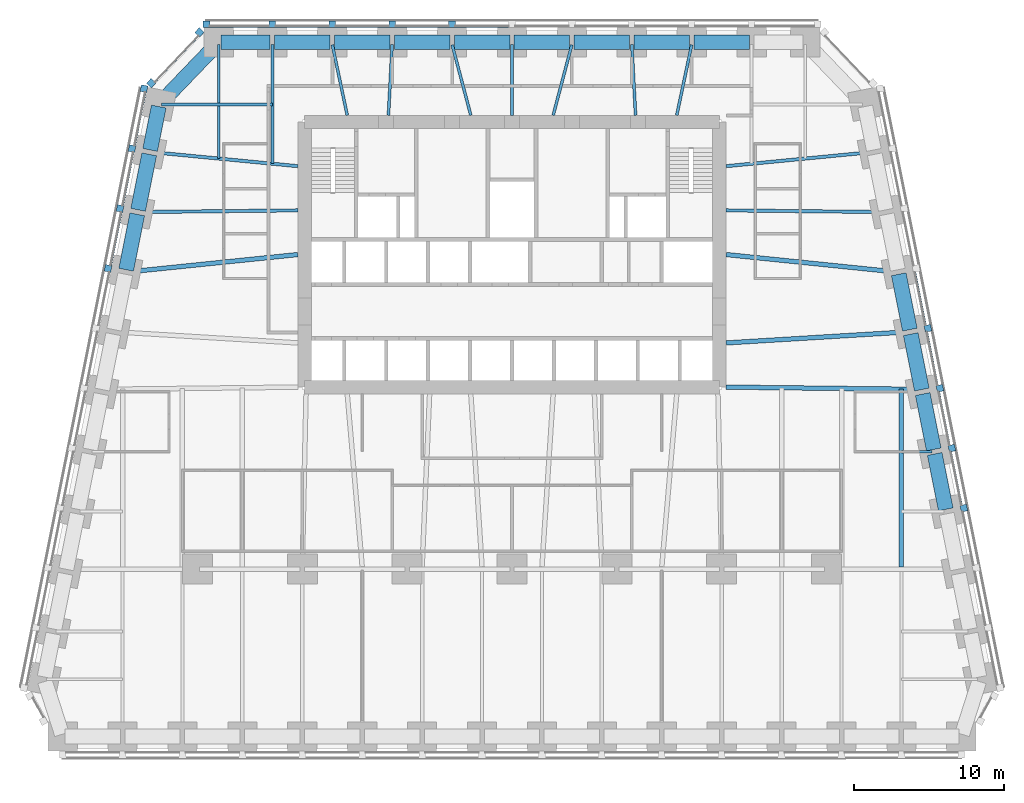
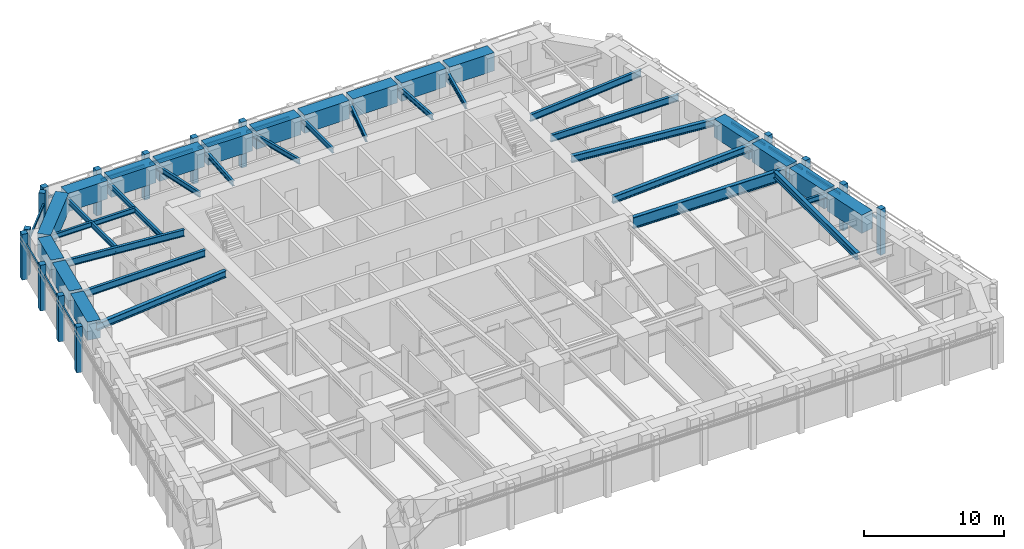
# One storey, part 3 of 10: 37 beams, 28 members, 4 elements without a shape of their own.
"""IFC4 building model written with IfcOpenShell, lengths in metres."""

from ifc_helpers import new_model, si_unit, direction, frame, origin, origin_2d, place, context, subcontext, project, spatial, rectangle, i_section, extrude, material, material_profile, profile_set, type_object, element, aggregate, save


model = new_model("IFC4")

# Units and contexts
model_context = context("Model", 3, precision=1e-05, world=origin(), true_north=direction((0.0, 1.0)))
body_context = subcontext(model_context, "Body", "Model", "MODEL_VIEW")
ifc_project = project(units=[si_unit("LENGTHUNIT", "METRE"), si_unit("AREAUNIT", "SQUARE_METRE"), si_unit("VOLUMEUNIT", "CUBIC_METRE"), si_unit("PLANEANGLEUNIT", "RADIAN"), si_unit("MASSUNIT", "GRAM", prefix="KILO")], contexts=[model_context])

# Site, building, storey
site_placement = place(None, origin())
site = spatial("IfcSite", under=ifc_project, at=site_placement, CompositionType="ELEMENT")
building_placement = place(site_placement, origin())
building = spatial("IfcBuilding", under=site, at=building_placement, Name="Isbrekke Arena Tower", CompositionType="ELEMENT")
storey_placement = place(building_placement, frame((0.0, 0.0, 80.0)))
storey = spatial("IfcBuildingStorey", under=building, at=storey_placement, Name="L17", CompositionType="ELEMENT", Elevation=80.0)

# Beams
ifc_material_1 = material(Name="Steel S355", Category="steel")
ifc_material_profile_1 = material_profile(ifc_material_1, i_section(OverallWidth=0.219970703125, OverallDepth=0.60009765625, WebThickness=0.011962890625, FlangeThickness=0.01904296875, FilletRadius=0.02392578125, at=origin_2d()), Name="IPE 600")
ifc_profile_set_1 = profile_set([ifc_material_profile_1], Name="Steel S355")
beam_type_1 = type_object("IfcBeamType", Name="B1 IPE 600", PredefinedType="BEAM", material=ifc_profile_set_1)
beam_1_placement = place(storey_placement, frame((24.83984375, 17.838134765625, 3.550048828125), z_axis=(-0.999943729589, 0.010608376645, 0.0), x_axis=(-0.010608376645, -0.999943729589, 0.0)))
element("IfcBeam", 1, at=beam_1_placement, inside=storey, type_object=beam_type_1, Name="B1 beam E-E09 L17", PredefinedType="BEAM", context=body_context, shape_type="SweptSolid", body=[
    extrude(i_section(OverallWidth=0.219970703125, OverallDepth=0.60009765625, WebThickness=0.011962890625, FlangeThickness=0.01904296875, FilletRadius=0.02392578125, at=origin_2d()), origin(), (0.0, 0.0, 1.0), 10.540283203125),
])
for number, where, z_axis, x_axis, name in (
    (2, (24.030517578125, 21.837158203125, 3.550048828125), (-0.995393091527, -0.095878012805, 0.0), (0.095878012805, -0.995393091527, 0.0), "B1 beam E-E10 L17"),
    (3, (-24.030517578125, 21.837158203125, 3.550048828125), (0.995393091527, -0.095878012805, 0.0), (0.095878012805, 0.995393091527, 0.0), "B1 beam E-W02 L17"),
):
    element("IfcBeam", number, at=place(storey_placement, frame(where, z_axis=z_axis, x_axis=x_axis)), inside=storey, type_object=beam_type_1, Name=name, PredefinedType="BEAM", context=body_context, shape_type="SweptSolid", body=[
        extrude(i_section(OverallWidth=0.219970703125, OverallDepth=0.60009765625, WebThickness=0.011962890625, FlangeThickness=0.01904296875, FilletRadius=0.02392578125, at=origin_2d()), origin(), (0.0, 0.0, 1.0), 9.775390625),
    ])
beam_2_placement = place(storey_placement, frame((-24.83984375, 17.838134765625, 3.550048828125), z_axis=(0.999943729589, 0.010608376645, 0.0), x_axis=(-0.010608376645, 0.999943729589, 0.0)))
element("IfcBeam", 4, at=beam_2_placement, inside=storey, type_object=beam_type_1, Name="B1 beam E-W03 L17", PredefinedType="BEAM", context=body_context, shape_type="SweptSolid", body=[
    extrude(i_section(OverallWidth=0.219970703125, OverallDepth=0.60009765625, WebThickness=0.011962890625, FlangeThickness=0.01904296875, FilletRadius=0.02392578125, at=origin_2d()), origin(), (0.0, 0.0, 1.0), 10.540283203125),
])
ifc_material_2 = material(Name="Steel S355", Category="steel")
ifc_material_profile_2 = material_profile(ifc_material_2, i_section(OverallWidth=0.18994140625, OverallDepth=0.449951171875, WebThickness=0.009521484375, FlangeThickness=0.0146484375, FilletRadius=0.02099609375, at=origin_2d()), Name="IPE 450")
ifc_profile_set_2 = profile_set([ifc_material_profile_2], Name="Steel S355")
beam_type_2 = type_object("IfcBeamType", Name="B2 IPE 450", PredefinedType="BEAM", material=ifc_profile_set_2)
beam_3_placement = place(storey_placement, frame((28.041015625, 1.838134765625, 3.625), z_axis=(-1.0, 0.0, 0.0), x_axis=(0.0, -1.0, 0.0)))
element("IfcBeam", 5, at=beam_3_placement, inside=storey, type_object=beam_type_2, Name="B2 beam E-E05 L17", PredefinedType="BEAM", context=body_context, shape_type="SweptSolid", body=[
    extrude(i_section(OverallWidth=0.18994140625, OverallDepth=0.449951171875, WebThickness=0.009521484375, FlangeThickness=0.0146484375, FilletRadius=0.02099609375, at=origin_2d()), origin(), (0.0, 0.0, 1.0), 2.041015625),
])
beam_4_placement = place(storey_placement, frame((-23.40283203125, 25.029296875, 3.625), z_axis=(1.0, 0.0, 0.0), x_axis=(0.0, 1.0, 0.0)))
element("IfcBeam", 6, at=beam_4_placement, inside=storey, type_object=beam_type_2, Name="B2 beam E-W01 L17", PredefinedType="BEAM", context=body_context, shape_type="SweptSolid", body=[
    extrude(i_section(OverallWidth=0.18994140625, OverallDepth=0.449951171875, WebThickness=0.009521484375, FlangeThickness=0.0146484375, FilletRadius=0.02099609375, at=origin_2d()), origin(), (0.0, 0.0, 1.0), 7.40283203125),
])
ifc_material_3 = material(Name="Steel S355", Category="steel")
ifc_material_profile_3 = material_profile(ifc_material_3, i_section(OverallWidth=0.18994140625, OverallDepth=0.449951171875, WebThickness=0.009521484375, FlangeThickness=0.0146484375, FilletRadius=0.02099609375, at=origin_2d()), Name="IPE 450")
ifc_profile_set_3 = profile_set([ifc_material_profile_3], Name="Steel S355")
beam_type_3 = type_object("IfcBeamType", Name="B3 IPE 450", PredefinedType="BEAM", material=ifc_profile_set_3)
beam_5_placement = place(storey_placement, frame((-16.0, 29.02490234375, 3.625), z_axis=(0.0, -1.0, 0.0), x_axis=(1.0, 0.0, 0.0)))
element("IfcBeam", 7, at=beam_5_placement, inside=storey, type_object=beam_type_3, Name="B3 beam N-N10 L17", PredefinedType="BEAM", context=body_context, shape_type="SweptSolid", body=[
    extrude(i_section(OverallWidth=0.18994140625, OverallDepth=0.449951171875, WebThickness=0.009521484375, FlangeThickness=0.0146484375, FilletRadius=0.02099609375, at=origin_2d()), origin(), (0.0, 0.0, 1.0), 7.961181640625),
])
beam_6_placement = place(storey_placement, frame((-19.574951171875, 29.02490234375, 3.625), z_axis=(0.0, -1.0, 0.0), x_axis=(1.0, 0.0, 0.0)))
element("IfcBeam", 8, at=beam_6_placement, inside=storey, type_object=beam_type_3, Name="B3 beam N-N11 L17", PredefinedType="BEAM", context=body_context, shape_type="SweptSolid", body=[
    extrude(i_section(OverallWidth=0.18994140625, OverallDepth=0.449951171875, WebThickness=0.009521484375, FlangeThickness=0.0146484375, FilletRadius=0.02099609375, at=origin_2d()), origin(), (0.0, 0.0, 1.0), 7.616943359375),
])
beam_7_placement = place(storey_placement, frame((11.995849609375, 29.005859375, 3.625), z_axis=(-0.207036135686, -0.978333296234, 0.0), x_axis=(0.978333296234, -0.207036135686, 0.0)))
element("IfcBeam", 9, at=beam_7_placement, inside=storey, type_object=beam_type_3, Name="B3 beam N-N03 L17", PredefinedType="BEAM", context=body_context, shape_type="SweptSolid", body=[
    extrude(i_section(OverallWidth=0.18994140625, OverallDepth=0.449951171875, WebThickness=0.009521484375, FlangeThickness=0.0146484375, FilletRadius=0.02099609375, at=origin_2d()), origin(), (0.0, 0.0, 1.0), 4.81005859375),
])
beam_8_placement = place(storey_placement, frame((8.000244140625, 29.02001953125, 3.625), z_axis=(0.05284078094, -0.998602950061, 0.0), x_axis=(0.998602950061, 0.05284078094, 0.0)))
element("IfcBeam", 10, at=beam_8_placement, inside=storey, type_object=beam_type_3, Name="B3 beam N-N04 L17", PredefinedType="BEAM", context=body_context, shape_type="SweptSolid", body=[
    extrude(i_section(OverallWidth=0.18994140625, OverallDepth=0.449951171875, WebThickness=0.009521484375, FlangeThickness=0.0146484375, FilletRadius=0.02099609375, at=origin_2d()), origin(), (0.0, 0.0, 1.0), 4.7265625),
])
beam_9_placement = place(storey_placement, frame((3.993896484375, 29.00146484375, 3.625), z_axis=(-0.255778031922, -0.966735536942, 0.0), x_axis=(0.966735536942, -0.255778031922, 0.0)))
element("IfcBeam", 11, at=beam_9_placement, inside=storey, type_object=beam_type_3, Name="B3 beam N-N05 L17", PredefinedType="BEAM", context=body_context, shape_type="SweptSolid", body=[
    extrude(i_section(OverallWidth=0.18994140625, OverallDepth=0.449951171875, WebThickness=0.009521484375, FlangeThickness=0.0146484375, FilletRadius=0.02099609375, at=origin_2d()), origin(), (0.0, 0.0, 1.0), 4.86328125),
])
beam_10_placement = place(storey_placement, frame((0.0, 29.02490234375, 3.625), z_axis=(0.0, -1.0, 0.0), x_axis=(1.0, 0.0, 0.0)))
element("IfcBeam", 12, at=beam_10_placement, inside=storey, type_object=beam_type_3, Name="B3 beam N-N06 L17", PredefinedType="BEAM", context=body_context, shape_type="SweptSolid", body=[
    extrude(i_section(OverallWidth=0.18994140625, OverallDepth=0.449951171875, WebThickness=0.009521484375, FlangeThickness=0.0146484375, FilletRadius=0.02099609375, at=origin_2d()), origin(), (0.0, 0.0, 1.0), 4.724853515625),
])
beam_11_placement = place(storey_placement, frame((-3.993896484375, 29.00146484375, 3.625), z_axis=(0.255778031922, -0.966735536942, 0.0), x_axis=(0.966735536942, 0.255778031922, 0.0)))
element("IfcBeam", 13, at=beam_11_placement, inside=storey, type_object=beam_type_3, Name="B3 beam N-N07 L17", PredefinedType="BEAM", context=body_context, shape_type="SweptSolid", body=[
    extrude(i_section(OverallWidth=0.18994140625, OverallDepth=0.449951171875, WebThickness=0.009521484375, FlangeThickness=0.0146484375, FilletRadius=0.02099609375, at=origin_2d()), origin(), (0.0, 0.0, 1.0), 4.86328125),
])
beam_12_placement = place(storey_placement, frame((-8.000244140625, 29.02001953125, 3.625), z_axis=(-0.05284078094, -0.998602950061, 0.0), x_axis=(0.998602950061, -0.05284078094, 0.0)))
element("IfcBeam", 14, at=beam_12_placement, inside=storey, type_object=beam_type_3, Name="B3 beam N-N08 L17", PredefinedType="BEAM", context=body_context, shape_type="SweptSolid", body=[
    extrude(i_section(OverallWidth=0.18994140625, OverallDepth=0.449951171875, WebThickness=0.009521484375, FlangeThickness=0.0146484375, FilletRadius=0.02099609375, at=origin_2d()), origin(), (0.0, 0.0, 1.0), 4.7265625),
])
beam_13_placement = place(storey_placement, frame((-11.995849609375, 29.005859375, 3.625), z_axis=(0.207036135686, -0.978333296234, 0.0), x_axis=(0.978333296234, 0.207036135686, 0.0)))
element("IfcBeam", 15, at=beam_13_placement, inside=storey, type_object=beam_type_3, Name="B3 beam N-N09 L17", PredefinedType="BEAM", context=body_context, shape_type="SweptSolid", body=[
    extrude(i_section(OverallWidth=0.18994140625, OverallDepth=0.449951171875, WebThickness=0.009521484375, FlangeThickness=0.0146484375, FilletRadius=0.02099609375, at=origin_2d()), origin(), (0.0, 0.0, 1.0), 4.81005859375),
])
ifc_material_4 = material(Name="Steel S355", Category="steel")
ifc_material_profile_4 = material_profile(ifc_material_4, i_section(OverallWidth=0.300048828125, OverallDepth=0.60009765625, WebThickness=0.015380859375, FlangeThickness=0.030029296875, FilletRadius=0.027099609375, at=origin_2d()), Name="HEB 600")
ifc_profile_set_4 = profile_set([ifc_material_profile_4], Name="Steel S355")
beam_type_4 = type_object("IfcBeamType", Name="B7 HEB 600", PredefinedType="BEAM", material=ifc_profile_set_4)
beam_14_placement = place(storey_placement, frame((26.0, -5.84912109375, 3.550048828125), z_axis=(0.0, 1.0, 0.0), x_axis=(-1.0, 0.0, 0.0)))
element("IfcBeam", 16, at=beam_14_placement, inside=storey, type_object=beam_type_4, Name="B7 beam C-M14 L17", PredefinedType="BEAM", context=body_context, shape_type="SweptSolid", body=[
    extrude(i_section(OverallWidth=0.300048828125, OverallDepth=0.60009765625, WebThickness=0.015380859375, FlangeThickness=0.030029296875, FilletRadius=0.027099609375, at=origin_2d()), origin(), (0.0, 0.0, 1.0), 11.864990234375),
])
beam_15_placement = place(storey_placement, frame((26.431884765625, 9.837646484375, 3.550048828125), z_axis=(-0.998157121592, -0.060682457223, 0.0), x_axis=(0.060682457223, -0.998157121592, 0.0)))
element("IfcBeam", 17, at=beam_15_placement, inside=storey, type_object=beam_type_4, Name="B7 beam E-E07 L17", PredefinedType="BEAM", context=body_context, shape_type="SweptSolid", body=[
    extrude(i_section(OverallWidth=0.300048828125, OverallDepth=0.60009765625, WebThickness=0.015380859375, FlangeThickness=0.030029296875, FilletRadius=0.027099609375, at=origin_2d()), origin(), (0.0, 0.0, 1.0), 12.154296875),
])
for number, where, z_axis, x_axis, name in (
    (18, (25.625732421875, 13.83984375, 3.550048828125), (-0.994794378016, 0.101902627384, 0.0), (-0.101902627384, -0.994794378016, 0.0), "B7 beam E-E08 L17"),
    (19, (-25.625732421875, 13.83984375, 3.550048828125), (0.994794378016, 0.101902627384, 0.0), (-0.101902627384, 0.994794378016, 0.0), "B7 beam E-W04 L17"),
):
    element("IfcBeam", number, at=place(storey_placement, frame(where, z_axis=z_axis, x_axis=x_axis)), inside=storey, type_object=beam_type_4, Name=name, PredefinedType="BEAM", context=body_context, shape_type="SweptSolid", body=[
        extrude(i_section(OverallWidth=0.300048828125, OverallDepth=0.60009765625, WebThickness=0.015380859375, FlangeThickness=0.030029296875, FilletRadius=0.027099609375, at=origin_2d()), origin(), (0.0, 0.0, 1.0), 11.385009765625),
    ])

# Curtain wall, members
ifc_material_5 = material(Name="Glazed aluminium curtain wall", Category="aluminium")
curtain_wall_type = type_object("IfcCurtainWallType", Name="CWL TOWER CURTAIN WALL LOW ZONE", PredefinedType="USERDEFINED", material=ifc_material_5)
curtain_wall_1_placement = place(storey_placement, origin())
curtain_wall_1 = element("IfcCurtainWall", 20, at=curtain_wall_1_placement, inside=storey, type_object=curtain_wall_type, Name="CWL curtain wall L17-E", ObjectType="TOWER CURTAIN WALL LOW ZONE", PredefinedType="USERDEFINED")
ifc_material_6 = material(Name="Aluminium mullion, pale brick slip cladding", Category="masonry")
ifc_material_profile_5 = material_profile(ifc_material_6, rectangle(XDim=0.449951171875, YDim=0.449951171875, at=origin_2d()), Name="PIER 450X450")
ifc_profile_set_5 = profile_set([ifc_material_profile_5], Name="Aluminium mullion, pale brick slip cladding")
member_type_1 = type_object("IfcMemberType", Name="CWL-M PIER MULLION 450 x 450", PredefinedType="MULLION", material=ifc_profile_set_5)
member_1_placement = place(storey_placement, frame((30.167724609375, -1.926513671875, 0.0), z_axis=(0.0, 0.0, 1.0), x_axis=(-0.196116135138, 0.980580675691, 0.0)))
member_1 = element("IfcMember", 21, at=member_1_placement, type_object=member_type_1, Name="CWL-M mullion 4", PredefinedType="MULLION", context=body_context, shape_type="SweptSolid", body=[
    extrude(rectangle(XDim=0.449951171875, YDim=0.449951171875, at=origin_2d()), origin(), (0.0, 0.0, 1.0), 4.0),
])
member_2_placement = place(storey_placement, frame((29.36767578125, 2.073486328125, 0.0), z_axis=(0.0, 0.0, 1.0), x_axis=(-0.196116135138, 0.980580675691, 0.0)))
member_2 = element("IfcMember", 22, at=member_2_placement, type_object=member_type_1, Name="CWL-M mullion 5", PredefinedType="MULLION", context=body_context, shape_type="SweptSolid", body=[
    extrude(rectangle(XDim=0.449951171875, YDim=0.449951171875, at=origin_2d()), origin(), (0.0, 0.0, 1.0), 4.0),
])
member_3_placement = place(storey_placement, frame((28.567626953125, 6.073486328125, 0.0), z_axis=(0.0, 0.0, 1.0), x_axis=(-0.196116135138, 0.980580675691, 0.0)))
member_3 = element("IfcMember", 23, at=member_3_placement, type_object=member_type_1, Name="CWL-M mullion 6", PredefinedType="MULLION", context=body_context, shape_type="SweptSolid", body=[
    extrude(rectangle(XDim=0.449951171875, YDim=0.449951171875, at=origin_2d()), origin(), (0.0, 0.0, 1.0), 4.0),
])
member_4_placement = place(storey_placement, frame((27.767822265625, 10.073486328125, 0.0), z_axis=(0.0, 0.0, 1.0), x_axis=(-0.196116135138, 0.980580675691, 0.0)))
member_4 = element("IfcMember", 24, at=member_4_placement, type_object=member_type_1, Name="CWL-M mullion 7", PredefinedType="MULLION", context=body_context, shape_type="SweptSolid", body=[
    extrude(rectangle(XDim=0.449951171875, YDim=0.449951171875, at=origin_2d()), origin(), (0.0, 0.0, 1.0), 4.0),
])

curtain_wall_2_placement = place(storey_placement, origin())
curtain_wall_2 = element("IfcCurtainWall", 25, at=curtain_wall_2_placement, inside=storey, type_object=curtain_wall_type, Name="CWL curtain wall L17-N", ObjectType="TOWER CURTAIN WALL LOW ZONE", PredefinedType="USERDEFINED")
member_5_placement = place(storey_placement, frame((-4.0, 30.375, 0.0), z_axis=(0.0, 0.0, 1.0), x_axis=(-1.0, 0.0, 0.0)))
member_5 = element("IfcMember", 26, at=member_5_placement, type_object=member_type_1, Name="CWL-M mullion 7", PredefinedType="MULLION", context=body_context, shape_type="SweptSolid", body=[
    extrude(rectangle(XDim=0.449951171875, YDim=0.449951171875, at=origin_2d()), origin(), (0.0, 0.0, 1.0), 4.0),
])
member_6_placement = place(storey_placement, frame((-8.0, 30.375, 0.0), z_axis=(0.0, 0.0, 1.0), x_axis=(-1.0, 0.0, 0.0)))
member_6 = element("IfcMember", 27, at=member_6_placement, type_object=member_type_1, Name="CWL-M mullion 8", PredefinedType="MULLION", context=body_context, shape_type="SweptSolid", body=[
    extrude(rectangle(XDim=0.449951171875, YDim=0.449951171875, at=origin_2d()), origin(), (0.0, 0.0, 1.0), 4.0),
])
member_7_placement = place(storey_placement, frame((-12.0, 30.375, 0.0), z_axis=(0.0, 0.0, 1.0), x_axis=(-1.0, 0.0, 0.0)))
member_7 = element("IfcMember", 28, at=member_7_placement, type_object=member_type_1, Name="CWL-M mullion 9", PredefinedType="MULLION", context=body_context, shape_type="SweptSolid", body=[
    extrude(rectangle(XDim=0.449951171875, YDim=0.449951171875, at=origin_2d()), origin(), (0.0, 0.0, 1.0), 4.0),
])
member_8_placement = place(storey_placement, frame((-16.0, 30.375, 0.0), z_axis=(0.0, 0.0, 1.0), x_axis=(-1.0, 0.0, 0.0)))
member_8 = element("IfcMember", 29, at=member_8_placement, type_object=member_type_1, Name="CWL-M mullion 10", PredefinedType="MULLION", context=body_context, shape_type="SweptSolid", body=[
    extrude(rectangle(XDim=0.449951171875, YDim=0.449951171875, at=origin_2d()), origin(), (0.0, 0.0, 1.0), 4.0),
])
member_9_placement = place(storey_placement, frame((-20.39990234375, 30.375, 0.0), z_axis=(0.0, 0.0, 1.0), x_axis=(-1.0, 0.0, 0.0)))
member_9 = element("IfcMember", 30, at=member_9_placement, type_object=member_type_1, Name="CWL-M mullion 11", PredefinedType="MULLION", context=body_context, shape_type="SweptSolid", body=[
    extrude(rectangle(XDim=0.449951171875, YDim=0.449951171875, at=origin_2d()), origin(), (0.0, 0.0, 1.0), 4.0),
])

curtain_wall_3_placement = place(storey_placement, origin())
curtain_wall_3 = element("IfcCurtainWall", 31, at=curtain_wall_3_placement, inside=storey, type_object=curtain_wall_type, Name="CWL curtain wall L17-NW", ObjectType="TOWER CURTAIN WALL LOW ZONE", PredefinedType="USERDEFINED")
member_10_placement = place(storey_placement, frame((-20.86572265625, 29.83642578125, 0.0), z_axis=(0.0, 0.0, 1.0), x_axis=(-0.68874946192, -0.72499943359, 0.0)))
member_10 = element("IfcMember", 32, at=member_10_placement, type_object=member_type_1, Name="CWL-M mullion 1", PredefinedType="MULLION", context=body_context, shape_type="SweptSolid", body=[
    extrude(rectangle(XDim=0.449951171875, YDim=0.449951171875, at=origin_2d()), origin(), (0.0, 0.0, 1.0), 4.0),
])
member_11_placement = place(storey_placement, frame((-24.087890625, 26.44482421875, 0.0), z_axis=(0.0, 0.0, 1.0), x_axis=(-0.68874946192, -0.72499943359, 0.0)))
member_11 = element("IfcMember", 33, at=member_11_placement, type_object=member_type_1, Name="CWL-M mullion 2", PredefinedType="MULLION", context=body_context, shape_type="SweptSolid", body=[
    extrude(rectangle(XDim=0.449951171875, YDim=0.449951171875, at=origin_2d()), origin(), (0.0, 0.0, 1.0), 4.0),
])

curtain_wall_4_placement = place(storey_placement, origin())
curtain_wall_4 = element("IfcCurtainWall", 34, at=curtain_wall_4_placement, inside=storey, type_object=curtain_wall_type, Name="CWL curtain wall L17-W", ObjectType="TOWER CURTAIN WALL LOW ZONE", PredefinedType="USERDEFINED")
member_12_placement = place(storey_placement, frame((-24.567626953125, 26.073486328125, 0.0), z_axis=(0.0, 0.0, 1.0), x_axis=(-0.196116135138, -0.980580675691, 0.0)))
member_12 = element("IfcMember", 35, at=member_12_placement, type_object=member_type_1, Name="CWL-M mullion 1", PredefinedType="MULLION", context=body_context, shape_type="SweptSolid", body=[
    extrude(rectangle(XDim=0.449951171875, YDim=0.449951171875, at=origin_2d()), origin(), (0.0, 0.0, 1.0), 4.0),
])
member_13_placement = place(storey_placement, frame((-25.36767578125, 22.073486328125, 0.0), z_axis=(0.0, 0.0, 1.0), x_axis=(-0.196116135138, -0.980580675691, 0.0)))
member_13 = element("IfcMember", 36, at=member_13_placement, type_object=member_type_1, Name="CWL-M mullion 2", PredefinedType="MULLION", context=body_context, shape_type="SweptSolid", body=[
    extrude(rectangle(XDim=0.449951171875, YDim=0.449951171875, at=origin_2d()), origin(), (0.0, 0.0, 1.0), 4.0),
])
member_14_placement = place(storey_placement, frame((-26.167724609375, 18.073486328125, 0.0), z_axis=(0.0, 0.0, 1.0), x_axis=(-0.196116135138, -0.980580675691, 0.0)))
member_14 = element("IfcMember", 37, at=member_14_placement, type_object=member_type_1, Name="CWL-M mullion 3", PredefinedType="MULLION", context=body_context, shape_type="SweptSolid", body=[
    extrude(rectangle(XDim=0.449951171875, YDim=0.449951171875, at=origin_2d()), origin(), (0.0, 0.0, 1.0), 4.0),
])
member_15_placement = place(storey_placement, frame((-26.9677734375, 14.073486328125, 0.0), z_axis=(0.0, 0.0, 1.0), x_axis=(-0.196116135138, -0.980580675691, 0.0)))
member_15 = element("IfcMember", 38, at=member_15_placement, type_object=member_type_1, Name="CWL-M mullion 4", PredefinedType="MULLION", context=body_context, shape_type="SweptSolid", body=[
    extrude(rectangle(XDim=0.449951171875, YDim=0.449951171875, at=origin_2d()), origin(), (0.0, 0.0, 1.0), 4.0),
])

# Member
ifc_material_7 = material(Name="Aluminium transom", Category="aluminium")
ifc_material_profile_6 = material_profile(ifc_material_7, rectangle(XDim=0.1201171875, YDim=0.199951171875, at=origin_2d()), Name="TRANSOM 120X200")
ifc_profile_set_6 = profile_set([ifc_material_profile_6], Name="Aluminium transom")
member_type_2 = type_object("IfcMemberType", Name="CWL-T TRANSOM 120 x 200", PredefinedType="USERDEFINED", material=ifc_profile_set_6)
member_16_placement = place(storey_placement, frame((30.0009765625, -1.730224609375, 3.0), z_axis=(-0.196103197847, 0.98058326306, 0.0), x_axis=(-0.98058326306, -0.196103197847, 0.0)))
member_16 = element("IfcMember", 39, at=member_16_placement, type_object=member_type_2, Name="CWL-T transom 4", ObjectType="TRANSOM", PredefinedType="USERDEFINED", context=body_context, shape_type="SweptSolid", body=[
    extrude(rectangle(XDim=0.1201171875, YDim=0.199951171875, at=origin_2d()), origin(), (0.0, 0.0, 1.0), 3.629150390625),
])

member_17_placement = place(storey_placement, frame((29.200927734375, 2.269775390625, 3.0), z_axis=(-0.196103197847, 0.98058326306, 0.0), x_axis=(-0.98058326306, -0.196103197847, 0.0)))
member_17 = element("IfcMember", 40, at=member_17_placement, type_object=member_type_2, Name="CWL-T transom 5", ObjectType="TRANSOM", PredefinedType="USERDEFINED", context=body_context, shape_type="SweptSolid", body=[
    extrude(rectangle(XDim=0.1201171875, YDim=0.199951171875, at=origin_2d()), origin(), (0.0, 0.0, 1.0), 3.629150390625),
])

member_18_placement = place(storey_placement, frame((28.401123046875, 6.269775390625, 3.0), z_axis=(-0.196167883278, 0.980570324643, 0.0), x_axis=(-0.980570324643, -0.196167883278, 0.0)))
member_18 = element("IfcMember", 41, at=member_18_placement, type_object=member_type_2, Name="CWL-T transom 6", ObjectType="TRANSOM", PredefinedType="USERDEFINED", context=body_context, shape_type="SweptSolid", body=[
    extrude(rectangle(XDim=0.1201171875, YDim=0.199951171875, at=origin_2d()), origin(), (0.0, 0.0, 1.0), 3.629150390625),
])

member_19_placement = place(storey_placement, frame((27.60107421875, 10.269775390625, 3.0), z_axis=(-0.196167883278, 0.980570324643, 0.0), x_axis=(-0.980570324643, -0.196167883278, 0.0)))
member_19 = element("IfcMember", 42, at=member_19_placement, type_object=member_type_2, Name="CWL-T transom 7", ObjectType="TRANSOM", PredefinedType="USERDEFINED", context=body_context, shape_type="SweptSolid", body=[
    extrude(rectangle(XDim=0.1201171875, YDim=0.199951171875, at=origin_2d()), origin(), (0.0, 0.0, 1.0), 3.629150390625),
])

aggregate(curtain_wall_1, [member_1, member_2, member_3, member_4, member_16, member_17, member_18, member_19])

member_20_placement = place(storey_placement, frame((-0.22509765625, 30.25, 3.0), z_axis=(-1.0, 0.0, 0.0), x_axis=(0.0, -1.0, 0.0)))
member_20 = element("IfcMember", 43, at=member_20_placement, type_object=member_type_2, Name="CWL-T transom 6", ObjectType="TRANSOM", PredefinedType="USERDEFINED", context=body_context, shape_type="SweptSolid", body=[
    extrude(rectangle(XDim=0.1201171875, YDim=0.199951171875, at=origin_2d()), origin(), (0.0, 0.0, 1.0), 3.5498046875),
])

member_21_placement = place(storey_placement, frame((-4.22509765625, 30.25, 3.0), z_axis=(-1.0, 0.0, 0.0), x_axis=(0.0, -1.0, 0.0)))
member_21 = element("IfcMember", 44, at=member_21_placement, type_object=member_type_2, Name="CWL-T transom 7", ObjectType="TRANSOM", PredefinedType="USERDEFINED", context=body_context, shape_type="SweptSolid", body=[
    extrude(rectangle(XDim=0.1201171875, YDim=0.199951171875, at=origin_2d()), origin(), (0.0, 0.0, 1.0), 3.5498046875),
])

member_22_placement = place(storey_placement, frame((-8.22509765625, 30.25, 3.0), z_axis=(-1.0, 0.0, 0.0), x_axis=(0.0, -1.0, 0.0)))
member_22 = element("IfcMember", 45, at=member_22_placement, type_object=member_type_2, Name="CWL-T transom 8", ObjectType="TRANSOM", PredefinedType="USERDEFINED", context=body_context, shape_type="SweptSolid", body=[
    extrude(rectangle(XDim=0.1201171875, YDim=0.199951171875, at=origin_2d()), origin(), (0.0, 0.0, 1.0), 3.5498046875),
])

member_23_placement = place(storey_placement, frame((-12.22509765625, 30.25, 3.0), z_axis=(-1.0, 0.0, 0.0), x_axis=(0.0, -1.0, 0.0)))
member_23 = element("IfcMember", 46, at=member_23_placement, type_object=member_type_2, Name="CWL-T transom 9", ObjectType="TRANSOM", PredefinedType="USERDEFINED", context=body_context, shape_type="SweptSolid", body=[
    extrude(rectangle(XDim=0.1201171875, YDim=0.199951171875, at=origin_2d()), origin(), (0.0, 0.0, 1.0), 3.5498046875),
])

member_24_placement = place(storey_placement, frame((-16.22509765625, 30.25, 3.0), z_axis=(-1.0, 0.0, 0.0), x_axis=(0.0, -1.0, 0.0)))
member_24 = element("IfcMember", 47, at=member_24_placement, type_object=member_type_2, Name="CWL-T transom 10", ObjectType="TRANSOM", PredefinedType="USERDEFINED", context=body_context, shape_type="SweptSolid", body=[
    extrude(rectangle(XDim=0.1201171875, YDim=0.199951171875, at=origin_2d()), origin(), (0.0, 0.0, 1.0), 3.949951171875),
])

aggregate(curtain_wall_2, [member_5, member_6, member_7, member_8, member_9, member_20, member_21, member_22, member_23, member_24])

member_25_placement = place(storey_placement, frame((-20.93017578125, 29.587158203125, 3.0), z_axis=(-0.6887433918, -0.725005200155, 0.0), x_axis=(0.725005200155, -0.6887433918, 0.0)))
member_25 = element("IfcMember", 48, at=member_25_placement, type_object=member_type_2, Name="CWL-T transom 1", ObjectType="TRANSOM", PredefinedType="USERDEFINED", context=body_context, shape_type="SweptSolid", body=[
    extrude(rectangle(XDim=0.1201171875, YDim=0.199951171875, at=origin_2d()), origin(), (0.0, 0.0, 1.0), 4.22802734375),
])

aggregate(curtain_wall_3, [member_10, member_11, member_25])

member_26_placement = place(storey_placement, frame((-24.4892578125, 25.828369140625, 3.0), z_axis=(-0.196103197847, -0.98058326306, 0.0), x_axis=(0.98058326306, -0.196103197847, 0.0)))
member_26 = element("IfcMember", 49, at=member_26_placement, type_object=member_type_2, Name="CWL-T transom 1", ObjectType="TRANSOM", PredefinedType="USERDEFINED", context=body_context, shape_type="SweptSolid", body=[
    extrude(rectangle(XDim=0.1201171875, YDim=0.199951171875, at=origin_2d()), origin(), (0.0, 0.0, 1.0), 3.629150390625),
])

member_27_placement = place(storey_placement, frame((-25.289306640625, 21.828369140625, 3.0), z_axis=(-0.196103197847, -0.98058326306, 0.0), x_axis=(0.98058326306, -0.196103197847, 0.0)))
member_27 = element("IfcMember", 50, at=member_27_placement, type_object=member_type_2, Name="CWL-T transom 2", ObjectType="TRANSOM", PredefinedType="USERDEFINED", context=body_context, shape_type="SweptSolid", body=[
    extrude(rectangle(XDim=0.1201171875, YDim=0.199951171875, at=origin_2d()), origin(), (0.0, 0.0, 1.0), 3.629150390625),
])

member_28_placement = place(storey_placement, frame((-26.08935546875, 17.828369140625, 3.0), z_axis=(-0.196103197847, -0.98058326306, 0.0), x_axis=(0.98058326306, -0.196103197847, 0.0)))
member_28 = element("IfcMember", 51, at=member_28_placement, type_object=member_type_2, Name="CWL-T transom 3", ObjectType="TRANSOM", PredefinedType="USERDEFINED", context=body_context, shape_type="SweptSolid", body=[
    extrude(rectangle(XDim=0.1201171875, YDim=0.199951171875, at=origin_2d()), origin(), (0.0, 0.0, 1.0), 3.629150390625),
])

aggregate(curtain_wall_4, [member_12, member_13, member_14, member_15, member_26, member_27, member_28])

# Beams
ifc_material_8 = material(Name="Steel S355", Category="steel")
ifc_material_profile_7 = material_profile(ifc_material_8, i_section(OverallWidth=0.302001953125, OverallDepth=1.008056640625, WebThickness=0.02099609375, FlangeThickness=0.0400390625, FilletRadius=0.030029296875, at=origin_2d()), Name="HEM 1000")
ifc_profile_set_7 = profile_set([ifc_material_profile_7], Name="Steel S355")
beam_type_5 = type_object("IfcBeamType", Name="G2 HEM 1000", PredefinedType="BEAM", material=ifc_profile_set_7)
beam_16_placement = place(storey_placement, frame((14.300048828125, 6.14990234375, 3.345947265625), z_axis=(0.999934429634, -0.011451481699, 0.0), x_axis=(0.011451481699, 0.999934429634, 0.0)))
element("IfcBeam", 52, at=beam_16_placement, inside=storey, type_object=beam_type_5, Name="G2 beam G2-E L17", PredefinedType="BEAM", context=body_context, shape_type="SweptSolid", body=[
    extrude(i_section(OverallWidth=0.302001953125, OverallDepth=1.008056640625, WebThickness=0.02099609375, FlangeThickness=0.0400390625, FilletRadius=0.030029296875, at=origin_2d()), origin(), (0.0, 0.0, 1.0), 13.09033203125),
])
ifc_material_9 = material(Name="Concrete B90 (C90/105)", Category="concrete")
ifc_material_profile_8 = material_profile(ifc_material_9, rectangle(XDim=1.0, YDim=1.60009765625, at=origin_2d()), Name="RC 1000x1600")
ifc_profile_set_8 = profile_set([ifc_material_profile_8], Name="Concrete B90 (C90/105)")
beam_type_6 = type_object("IfcBeamType", Name="SB1 RC 1000 x 1600", PredefinedType="SPANDREL", material=ifc_profile_set_8)
for number, where, z_axis, x_axis, name in (
    (53, (28.961669921875, -2.0146484375, 3.199951171875), (-0.196128558387, 0.980578190959, 0.0), (-0.980578190959, -0.196128558387, 0.0), "SB1 spandrel E04-E05 L17"),
    (54, (28.16162109375, 1.9853515625, 3.199951171875), (-0.196128558387, 0.980578190959, 0.0), (-0.980578190959, -0.196128558387, 0.0), "SB1 spandrel E05-E06 L17"),
    (55, (27.361572265625, 5.9853515625, 3.199951171875), (-0.196128558387, 0.980578190959, 0.0), (-0.980578190959, -0.196128558387, 0.0), "SB1 spandrel E06-E07 L17"),
):
    element("IfcBeam", number, at=place(storey_placement, frame(where, z_axis=z_axis, x_axis=x_axis)), inside=storey, type_object=beam_type_6, Name=name, PredefinedType="SPANDREL", context=body_context, shape_type="SweptSolid", body=[
        extrude(rectangle(XDim=1.0, YDim=1.60009765625, at=origin_2d()), origin(), (0.0, 0.0, 1.0), 3.779296875),
    ])
beam_17_placement = place(storey_placement, frame((26.5615234375, 9.9853515625, 3.199951171875), z_axis=(-0.1960664412, 0.980590613169, 0.0), x_axis=(-0.980590613169, -0.1960664412, 0.0)))
element("IfcBeam", 56, at=beam_17_placement, inside=storey, type_object=beam_type_6, Name="SB1 spandrel E07-E08 L17", PredefinedType="SPANDREL", context=body_context, shape_type="SweptSolid", body=[
    extrude(rectangle(XDim=1.0, YDim=1.60009765625, at=origin_2d()), origin(), (0.0, 0.0, 1.0), 3.779052734375),
])
for number, where, z_axis, x_axis, name in (
    (57, (15.85009765625, 29.175048828125, 3.199951171875), (-1.0, 0.0, 0.0), (0.0, -1.0, 0.0), "SB1 spandrel N02-N03 L17"),
    (58, (11.85009765625, 29.175048828125, 3.199951171875), (-1.0, 0.0, 0.0), (0.0, -1.0, 0.0), "SB1 spandrel N03-N04 L17"),
    (59, (7.85009765625, 29.175048828125, 3.199951171875), (-1.0, 0.0, 0.0), (0.0, -1.0, 0.0), "SB1 spandrel N04-N05 L17"),
    (60, (3.85009765625, 29.175048828125, 3.199951171875), (-1.0, 0.0, 0.0), (0.0, -1.0, 0.0), "SB1 spandrel N05-N06 L17"),
    (61, (-0.14990234375, 29.175048828125, 3.199951171875), (-1.0, 0.0, 0.0), (0.0, -1.0, 0.0), "SB1 spandrel N06-N07 L17"),
    (62, (-4.14990234375, 29.175048828125, 3.199951171875), (-1.0, 0.0, 0.0), (0.0, -1.0, 0.0), "SB1 spandrel N07-N08 L17"),
    (63, (-8.14990234375, 29.175048828125, 3.199951171875), (-1.0, 0.0, 0.0), (0.0, -1.0, 0.0), "SB1 spandrel N08-N09 L17"),
    (64, (-12.14990234375, 29.175048828125, 3.199951171875), (-1.0, 0.0, 0.0), (0.0, -1.0, 0.0), "SB1 spandrel N09-N10 L17"),
):
    element("IfcBeam", number, at=place(storey_placement, frame(where, z_axis=z_axis, x_axis=x_axis)), inside=storey, type_object=beam_type_6, Name=name, PredefinedType="SPANDREL", context=body_context, shape_type="SweptSolid", body=[
        extrude(rectangle(XDim=1.0, YDim=1.60009765625, at=origin_2d()), origin(), (0.0, 0.0, 1.0), 3.7001953125),
    ])
beam_18_placement = place(storey_placement, frame((-16.14990234375, 29.175048828125, 3.199951171875), z_axis=(-1.0, 0.0, 0.0), x_axis=(0.0, -1.0, 0.0)))
element("IfcBeam", 65, at=beam_18_placement, inside=storey, type_object=beam_type_6, Name="SB1 spandrel N10-N11 L17", PredefinedType="SPANDREL", context=body_context, shape_type="SweptSolid", body=[
    extrude(rectangle(XDim=1.0, YDim=1.60009765625, at=origin_2d()), origin(), (0.0, 0.0, 1.0), 3.275146484375),
])
beam_19_placement = place(storey_placement, frame((-19.678955078125, 29.066650390625, 3.199951171875), z_axis=(-0.692339547635, -0.721571861134, 0.0), x_axis=(0.721571861134, -0.692339547635, 0.0)))
element("IfcBeam", 66, at=beam_19_placement, inside=storey, type_object=beam_type_6, Name="SB1 spandrel N11-W01 L17", PredefinedType="SPANDREL", context=body_context, shape_type="SweptSolid", body=[
    extrude(rectangle(XDim=1.0, YDim=1.60009765625, at=origin_2d()), origin(), (0.0, 0.0, 1.0), 5.4453125),
])
beam_20_placement = place(storey_placement, frame((-23.582275390625, 24.882080078125, 3.199951171875), z_axis=(-0.196116135138, -0.980580675691, 0.0), x_axis=(0.980580675691, -0.196116135138, 0.0)))
element("IfcBeam", 67, at=beam_20_placement, inside=storey, type_object=beam_type_6, Name="SB1 spandrel W01-W02 L17", PredefinedType="SPANDREL", context=body_context, shape_type="SweptSolid", body=[
    extrude(rectangle(XDim=1.0, YDim=1.60009765625, at=origin_2d()), origin(), (0.0, 0.0, 1.0), 2.9541015625),
])
for number, where, z_axis, x_axis, name in (
    (68, (-24.220458984375, 21.691162109375, 3.199951171875), (-0.196128558387, -0.980578190959, 0.0), (0.980578190959, -0.196128558387, 0.0), "SB1 spandrel W02-W03 L17"),
    (69, (-25.0205078125, 17.691162109375, 3.199951171875), (-0.196128558387, -0.980578190959, 0.0), (0.980578190959, -0.196128558387, 0.0), "SB1 spandrel W03-W04 L17"),
):
    element("IfcBeam", number, at=place(storey_placement, frame(where, z_axis=z_axis, x_axis=x_axis)), inside=storey, type_object=beam_type_6, Name=name, PredefinedType="SPANDREL", context=body_context, shape_type="SweptSolid", body=[
        extrude(rectangle(XDim=1.0, YDim=1.60009765625, at=origin_2d()), origin(), (0.0, 0.0, 1.0), 3.779296875),
    ])

save(model, "model.ifc")
